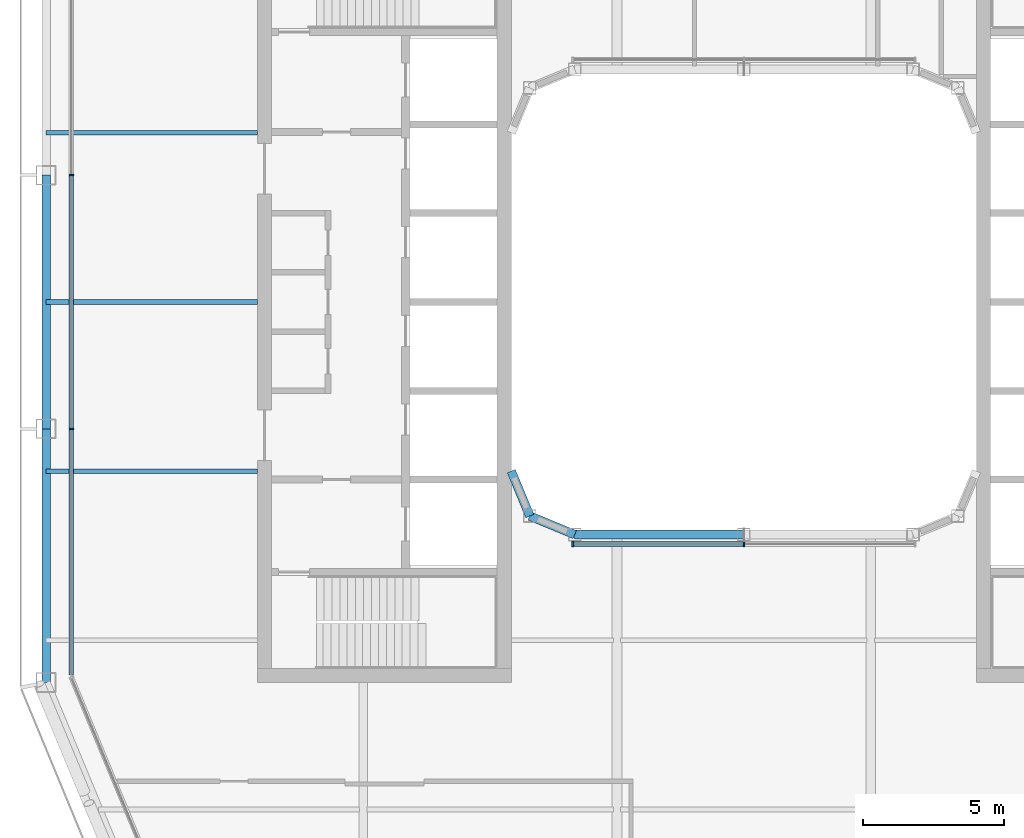
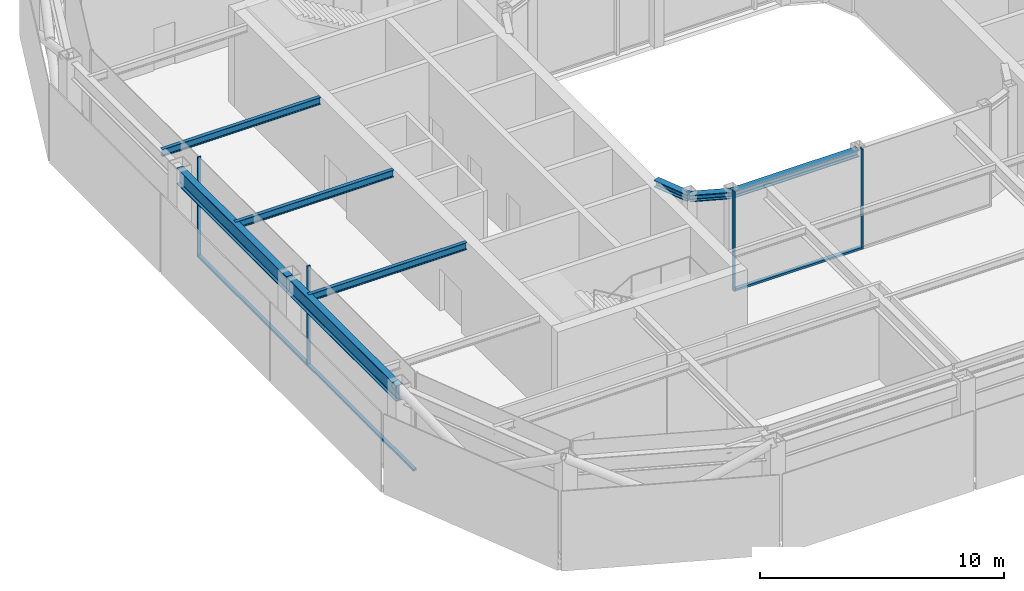
# One storey, part 4 of 17: 8 beams, 7 members, 2 elements without a shape of their own.
"""IFC4 building model written with IfcOpenShell, lengths in metres."""

from ifc_helpers import new_model, si_unit, direction, frame, origin, origin_2d, place, context, subcontext, project, spatial, rectangle, i_section, extrude, material, layer, layer_set, material_profile, profile_set, type_object, element, aggregate, save


model = new_model("IFC4")

# Units and contexts
model_context = context("Model", 3, precision=1e-05, world=origin(), true_north=direction((0.0, 1.0)))
body_context = subcontext(model_context, "Body", "Model", "MODEL_VIEW")
ifc_project = project(units=[si_unit("LENGTHUNIT", "METRE"), si_unit("AREAUNIT", "SQUARE_METRE"), si_unit("VOLUMEUNIT", "CUBIC_METRE"), si_unit("PLANEANGLEUNIT", "RADIAN"), si_unit("MASSUNIT", "GRAM", prefix="KILO")], contexts=[model_context])

# Site, building, storey
site_placement = place(None, origin())
site = spatial("IfcSite", under=ifc_project, at=site_placement, CompositionType="ELEMENT")
building_placement = place(site_placement, origin())
building = spatial("IfcBuilding", under=site, at=building_placement, Name="Siwar Civic Tower", CompositionType="ELEMENT")
storey_placement = place(building_placement, frame((0.0, 0.0, 353.199951171875)))
storey = spatial("IfcBuildingStorey", under=building, at=storey_placement, Name="L76", CompositionType="ELEMENT", Elevation=353.199951171875)

# Curtain wall, members
ifc_material_1 = material(Name="Aluminium and glass", Category="aluminium")
ifc_layer_1 = layer(ifc_material_1, 0.159912109375)
ifc_layer_set_1 = layer_set([ifc_layer_1], Name="Aluminium and glass")
curtain_wall_type_1 = type_object("IfcCurtainWallType", Name="ENV-CW-D", PredefinedType="NOTDEFINED", material=ifc_layer_set_1)
curtain_wall_1_placement = place(storey_placement, origin())
curtain_wall_1 = element("IfcCurtainWall", 1, at=curtain_wall_1_placement, inside=storey, type_object=curtain_wall_type_1, Name="Curtain wall D W", PredefinedType="NOTDEFINED")
ifc_material_2 = material(Name="Aluminium 6063-T6", Category="aluminium")
ifc_material_profile_1 = material_profile(ifc_material_2, rectangle(XDim=0.159912109375, YDim=0.06005859375, at=origin_2d()), Name="AL 160x60")
ifc_profile_set_1 = profile_set([ifc_material_profile_1], Name="Aluminium 6063-T6")
member_type_1 = type_object("IfcMemberType", Name="ENV-MULLION-D", PredefinedType="MULLION", material=ifc_profile_set_1)
member_1_placement = place(storey_placement, frame((-23.85009765625, 4.5, 0.0), z_axis=(0.0, 0.0, 1.0), x_axis=(1.0, 0.0, 0.0)))
member_1 = element("IfcMember", 2, at=member_1_placement, type_object=member_type_1, Name="Mullion D W 2", PredefinedType="MULLION", context=body_context, shape_type="SweptSolid", body=[
    extrude(rectangle(XDim=0.159912109375, YDim=0.06005859375, at=origin_2d()), origin(), (0.0, 0.0, 1.0), 5.0),
])
member_2_placement = place(storey_placement, frame((-23.85009765625, -4.5, 0.0), z_axis=(0.0, 0.0, 1.0), x_axis=(1.0, 0.0, 0.0)))
member_2 = element("IfcMember", 3, at=member_2_placement, type_object=member_type_1, Name="Mullion D W 3", PredefinedType="MULLION", context=body_context, shape_type="SweptSolid", body=[
    extrude(rectangle(XDim=0.159912109375, YDim=0.06005859375, at=origin_2d()), origin(), (0.0, 0.0, 1.0), 5.0),
])

ifc_material_3 = material(Name="Aluminium and glass", Category="aluminium")
ifc_layer_2 = layer(ifc_material_3, 0.179931640625)
ifc_layer_set_2 = layer_set([ifc_layer_2], Name="Aluminium and glass")
curtain_wall_type_2 = type_object("IfcCurtainWallType", Name="ENV-CW-W", PredefinedType="NOTDEFINED", material=ifc_layer_set_2)
curtain_wall_2_placement = place(storey_placement, origin())
curtain_wall_2 = element("IfcCurtainWall", 4, at=curtain_wall_2_placement, inside=storey, type_object=curtain_wall_type_2, Name="Curtain wall W WS", PredefinedType="NOTDEFINED")
ifc_material_4 = material(Name="Aluminium 6063-T6", Category="aluminium")
ifc_material_profile_2 = material_profile(ifc_material_4, rectangle(XDim=0.179931640625, YDim=0.06005859375, at=origin_2d()), Name="AL 180x60")
ifc_profile_set_2 = profile_set([ifc_material_profile_2], Name="Aluminium 6063-T6")
member_type_2 = type_object("IfcMemberType", Name="ENV-MULLION-W", PredefinedType="MULLION", material=ifc_profile_set_2)
member_3_placement = place(storey_placement, frame((-6.066650390625, -8.5849609375, 0.0), z_axis=(0.0, 0.0, 1.0), x_axis=(0.0, 1.0, 0.0)))
member_3 = element("IfcMember", 5, at=member_3_placement, type_object=member_type_2, Name="Mullion W WS 1", PredefinedType="MULLION", context=body_context, shape_type="SweptSolid", body=[
    extrude(rectangle(XDim=0.179931640625, YDim=0.06005859375, at=origin_2d()), origin(), (0.0, 0.0, 1.0), 5.0),
])
member_4_placement = place(storey_placement, frame((0.0, -8.5849609375, 0.0), z_axis=(0.0, 0.0, 1.0), x_axis=(0.0, 1.0, 0.0)))
member_4 = element("IfcMember", 6, at=member_4_placement, type_object=member_type_2, Name="Mullion W WS 2", PredefinedType="MULLION", context=body_context, shape_type="SweptSolid", body=[
    extrude(rectangle(XDim=0.179931640625, YDim=0.06005859375, at=origin_2d()), origin(), (0.0, 0.0, 1.0), 5.0),
])

# Member
ifc_material_5 = material(Name="Aluminium 6063-T6", Category="aluminium")
ifc_material_profile_3 = material_profile(ifc_material_5, rectangle(XDim=0.159912109375, YDim=0.10009765625, at=origin_2d()), Name="AL 160x100")
ifc_profile_set_3 = profile_set([ifc_material_profile_3], Name="Aluminium 6063-T6")
member_type_3 = type_object("IfcMemberType", Name="ENV-TRANSOM-D", PredefinedType="USERDEFINED", material=ifc_profile_set_3)
member_5_placement = place(storey_placement, frame((-23.85009765625, 4.469970703125, 0.050048828125), z_axis=(0.0, -1.0, 0.0), x_axis=(1.0, 0.0, 0.0)))
member_5 = element("IfcMember", 7, at=member_5_placement, type_object=member_type_3, Name="Transom D W 2", ObjectType="TRANSOM", PredefinedType="USERDEFINED", context=body_context, shape_type="SweptSolid", body=[
    extrude(rectangle(XDim=0.159912109375, YDim=0.10009765625, at=origin_2d()), origin(), (0.0, 0.0, 1.0), 8.93994140625),
])

member_6_placement = place(storey_placement, frame((-23.85009765625, -4.530029296875, 0.050048828125), z_axis=(0.0, -1.0, 0.0), x_axis=(1.0, 0.0, 0.0)))
member_6 = element("IfcMember", 8, at=member_6_placement, type_object=member_type_3, Name="Transom D W 3", ObjectType="TRANSOM", PredefinedType="USERDEFINED", context=body_context, shape_type="SweptSolid", body=[
    extrude(rectangle(XDim=0.159912109375, YDim=0.10009765625, at=origin_2d()), origin(), (0.0, 0.0, 1.0), 8.693115234375),
])

aggregate(curtain_wall_1, [member_1, member_2, member_5, member_6])

ifc_material_6 = material(Name="Aluminium 6063-T6", Category="aluminium")
ifc_material_profile_4 = material_profile(ifc_material_6, rectangle(XDim=0.179931640625, YDim=0.10009765625, at=origin_2d()), Name="AL 180x100")
ifc_profile_set_4 = profile_set([ifc_material_profile_4], Name="Aluminium 6063-T6")
member_type_4 = type_object("IfcMemberType", Name="ENV-TRANSOM-W", PredefinedType="USERDEFINED", material=ifc_profile_set_4)
member_7_placement = place(storey_placement, frame((-6.03662109375, -8.5849609375, 0.050048828125), z_axis=(1.0, 0.0, 0.0), x_axis=(0.0, 1.0, 0.0)))
member_7 = element("IfcMember", 9, at=member_7_placement, type_object=member_type_4, Name="Transom W WS 1", ObjectType="TRANSOM", PredefinedType="USERDEFINED", context=body_context, shape_type="SweptSolid", body=[
    extrude(rectangle(XDim=0.179931640625, YDim=0.10009765625, at=origin_2d()), origin(), (0.0, 0.0, 1.0), 6.006591796875),
])

aggregate(curtain_wall_2, [member_3, member_4, member_7])

# Beams
ifc_material_7 = material(Name="Steel S355", Category="steel")
ifc_material_profile_5 = material_profile(ifc_material_7, i_section(OverallWidth=0.169921875, OverallDepth=0.360107421875, WebThickness=0.008056640625, FlangeThickness=0.0126953125, FilletRadius=0.01806640625, at=origin_2d()), Name="IPE360")
ifc_profile_set_5 = profile_set([ifc_material_profile_5], Name="Steel S355")
beam_type_1 = type_object("IfcBeamType", Name="STR-FB-IPE360", PredefinedType="JOIST", material=ifc_profile_set_5)
for number, where, z_axis, x_axis, name in (
    (10, (-24.75, -6.0, 4.6201171875), (1.0, 0.0, 0.0), (0.0, 1.0, 0.0), "L76/bm/F016"),
    (11, (-24.75, 0.0, 4.6201171875), (1.0, 0.0, 0.0), (0.0, 1.0, 0.0), "L76/bm/F018"),
    (12, (-24.75, 6.0, 4.6201171875), (1.0, 0.0, 0.0), (0.0, 1.0, 0.0), "L76/bm/F020"),
):
    element("IfcBeam", number, at=place(storey_placement, frame(where, z_axis=z_axis, x_axis=x_axis)), inside=storey, type_object=beam_type_1, Name=name, PredefinedType="JOIST", context=body_context, shape_type="SweptSolid", body=[
        extrude(i_section(OverallWidth=0.169921875, OverallDepth=0.360107421875, WebThickness=0.008056640625, FlangeThickness=0.0126953125, FilletRadius=0.01806640625, at=origin_2d()), origin(), (0.0, 0.0, 1.0), 7.5),
    ])
ifc_material_8 = material(Name="Steel S355", Category="steel")
ifc_material_profile_6 = material_profile(ifc_material_8, i_section(OverallWidth=0.31005859375, OverallDepth=0.340087890625, WebThickness=0.02099609375, FlangeThickness=0.0390625, FilletRadius=0.027099609375, at=origin_2d()), Name="HEM300")
ifc_profile_set_6 = profile_set([ifc_material_profile_6], Name="Steel S355")
beam_type_2 = type_object("IfcBeamType", Name="STR-RB-HEM300", PredefinedType="BEAM", material=ifc_profile_set_6)
beam_1_placement = place(storey_placement, frame((-7.591064453125, -7.591064453125, 4.630126953125), z_axis=(0.923901072997, -0.382631424892, 0.0), x_axis=(0.382631424892, 0.923901072997, 0.0)))
element("IfcBeam", 13, at=beam_1_placement, inside=storey, type_object=beam_type_2, Name="L76/bm/RS0", PredefinedType="BEAM", context=body_context, shape_type="SweptSolid", body=[
    extrude(i_section(OverallWidth=0.31005859375, OverallDepth=0.340087890625, WebThickness=0.02099609375, FlangeThickness=0.0390625, FilletRadius=0.027099609375, at=origin_2d()), origin(), (0.0, 0.0, 1.0), 1.72216796875),
])
beam_2_placement = place(storey_placement, frame((-6.0, -8.25, 4.630126953125), z_axis=(1.0, 0.0, 0.0), x_axis=(0.0, 1.0, 0.0)))
element("IfcBeam", 14, at=beam_2_placement, inside=storey, type_object=beam_type_2, Name="L76/bm/RS1", PredefinedType="BEAM", context=body_context, shape_type="SweptSolid", body=[
    extrude(i_section(OverallWidth=0.31005859375, OverallDepth=0.340087890625, WebThickness=0.02099609375, FlangeThickness=0.0390625, FilletRadius=0.027099609375, at=origin_2d()), origin(), (0.0, 0.0, 1.0), 6.0),
])
beam_3_placement = place(storey_placement, frame((-7.591064453125, -7.591064453125, 4.630126953125), z_axis=(-0.382631424892, 0.923901072997, 0.0), x_axis=(-0.923901072997, -0.382631424892, 0.0)))
element("IfcBeam", 15, at=beam_3_placement, inside=storey, type_object=beam_type_2, Name="L76/bm/RSEW", PredefinedType="BEAM", context=body_context, shape_type="SweptSolid", body=[
    extrude(i_section(OverallWidth=0.31005859375, OverallDepth=0.340087890625, WebThickness=0.02099609375, FlangeThickness=0.0390625, FilletRadius=0.027099609375, at=origin_2d()), origin(), (0.0, 0.0, 1.0), 1.72216796875),
])
ifc_material_9 = material(Name="Steel S355", Category="steel")
ifc_material_profile_7 = material_profile(ifc_material_9, i_section(OverallWidth=0.300048828125, OverallDepth=0.800048828125, WebThickness=0.017578125, FlangeThickness=0.032958984375, FilletRadius=0.030029296875, at=origin_2d()), Name="HEB800")
ifc_profile_set_7 = profile_set([ifc_material_profile_7], Name="Steel S355")
beam_type_3 = type_object("IfcBeamType", Name="STR-SB-HEB800", PredefinedType="BEAM", material=ifc_profile_set_7)
for number, where, z_axis, x_axis, name in (
    (16, (-24.75, 4.5, 4.400146484375), (0.0, -1.0, 0.0), (1.0, 0.0, 0.0), "L76/bm/SW-1"),
    (17, (-24.75, -4.5, 4.400146484375), (0.0, -1.0, 0.0), (1.0, 0.0, 0.0), "L76/bm/SW-2"),
):
    element("IfcBeam", number, at=place(storey_placement, frame(where, z_axis=z_axis, x_axis=x_axis)), inside=storey, type_object=beam_type_3, Name=name, PredefinedType="BEAM", context=body_context, shape_type="SweptSolid", body=[
        extrude(i_section(OverallWidth=0.300048828125, OverallDepth=0.800048828125, WebThickness=0.017578125, FlangeThickness=0.032958984375, FilletRadius=0.030029296875, at=origin_2d()), origin(), (0.0, 0.0, 1.0), 9.0),
    ])

save(model, "model.ifc")
